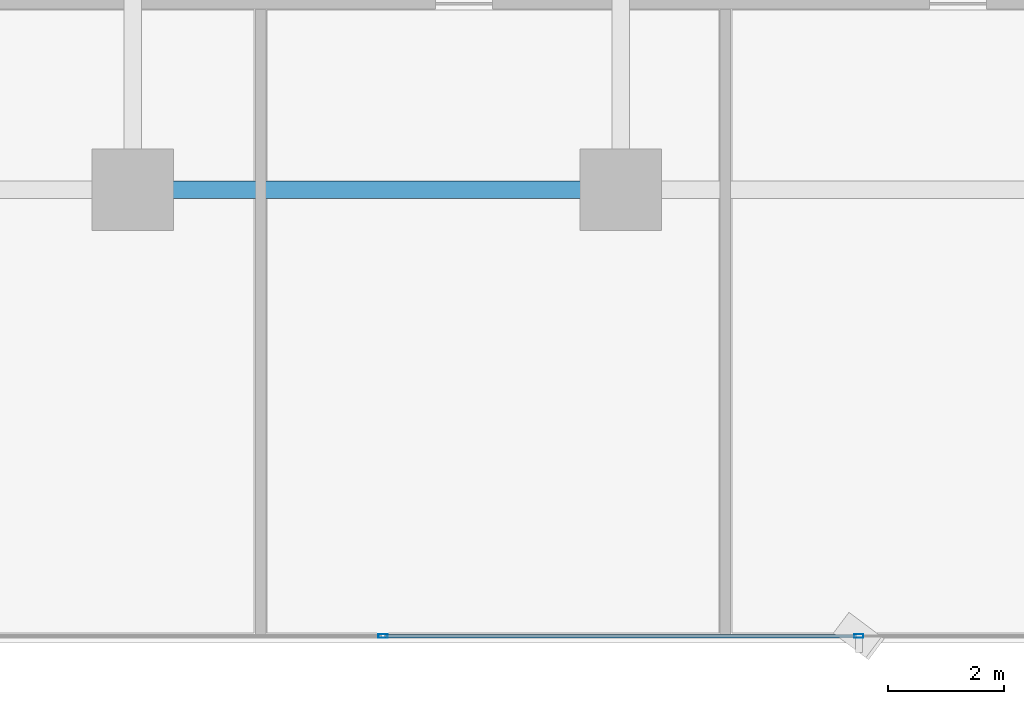
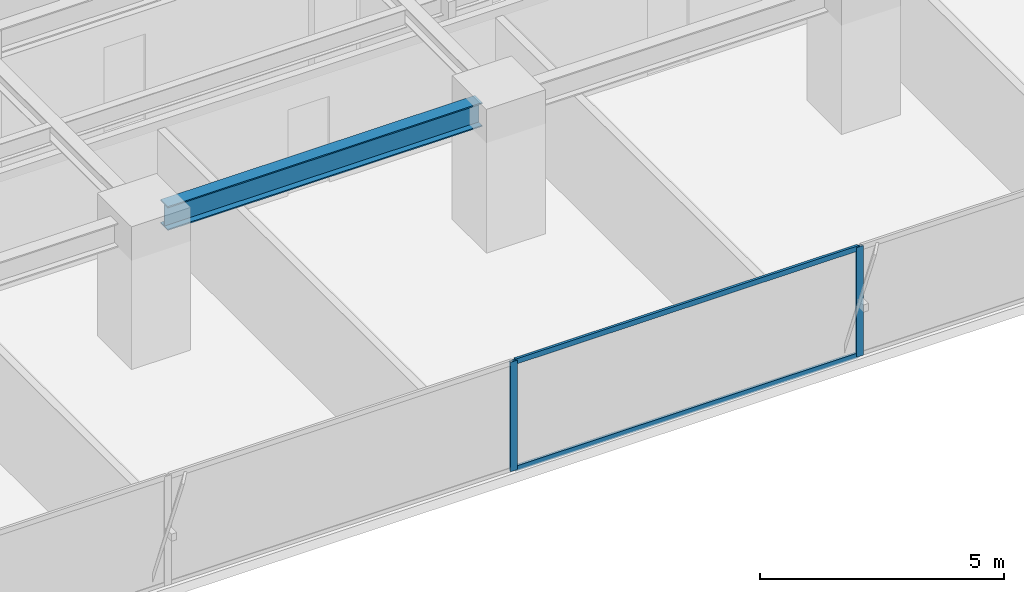
# One storey, part 6 of 36: 4 members, 1 beam, 1 element without a shape of its own.
"""IFC4 building model written with IfcOpenShell, lengths in metres."""

from ifc_helpers import new_model, si_unit, direction, frame, origin, origin_2d, place, context, subcontext, project, spatial, hollow_rectangle, i_section, extrude, source, transform, mapped, material, layer, layer_set, material_profile, profile_set, type_object, element, aggregate, save


model = new_model("IFC4")

# Units and contexts
model_context = context("Model", 3, precision=1e-05, world=origin(), true_north=direction((0.0, 1.0)))
body_context = subcontext(model_context, "Body", "Model", "MODEL_VIEW")
ifc_project = project(units=[si_unit("LENGTHUNIT", "METRE"), si_unit("AREAUNIT", "SQUARE_METRE"), si_unit("VOLUMEUNIT", "CUBIC_METRE"), si_unit("PLANEANGLEUNIT", "RADIAN"), si_unit("MASSUNIT", "GRAM", prefix="KILO")], contexts=[model_context])

# Site, building, storey
site_placement = place(None, origin())
site = spatial("IfcSite", under=ifc_project, at=site_placement, CompositionType="ELEMENT")
building_placement = place(site_placement, origin())
building = spatial("IfcBuilding", under=site, at=building_placement, Name="Sumidabori Civic Tower", CompositionType="ELEMENT")
storey_placement = place(building_placement, frame((0.0, 0.0, 113.60009765625)))
storey = spatial("IfcBuildingStorey", under=building, at=storey_placement, Name="L29", CompositionType="ELEMENT", Elevation=113.60009765625)

# Beam
ifc_material_1 = material(Name="Steel SN490", Category="steel")
ifc_material_profile_1 = material_profile(ifc_material_1, i_section(OverallWidth=0.300048828125, OverallDepth=0.60009765625, WebThickness=0.015380859375, FlangeThickness=0.030029296875, at=origin_2d()), Name="HE 600 B")
ifc_profile_set_1 = profile_set([ifc_material_profile_1], Name="Steel SN490")
beam_type = type_object("IfcBeamType", Name="BM-GIRD-600", PredefinedType="BEAM", material=ifc_profile_set_1)
shared_shape_1 = source(origin(), body_context, "Body", "SweptSolid", [
    extrude(i_section(OverallWidth=0.300048828125, OverallDepth=0.60009765625, WebThickness=0.015380859375, FlangeThickness=0.030029296875, at=origin_2d()), origin(), (0.0, 0.0, 1.0), 7.43994140625),
])
beam_placement = place(storey_placement, frame((-7.919921875, -18.0, 3.059814453125), z_axis=(1.0, 0.0, 0.0), x_axis=(0.0, 1.0, 0.0)))
element("IfcBeam", 1, at=beam_placement, inside=storey, type_object=beam_type, Name="Primary Girder L29 GX-03", PredefinedType="BEAM", context=body_context, shape_type="MappedRepresentation", body=[
    mapped(shared_shape_1, transform((0.0, 0.0, 0.0), x_axis=(1.0, 0.0, 0.0), y_axis=(0.0, 1.0, 0.0), z_axis=(0.0, 0.0, 1.0), scale=1.0)),
])

# Curtain wall, members
ifc_material_2 = material(Name="Anodised Bronze Aluminium AW-6063-T6", Category="aluminium")
ifc_layer = layer(ifc_material_2, 0.179931640625, Name="Anodised Bronze Aluminium AW-6063-T6")
ifc_layer_set = layer_set([ifc_layer], Name="Anodised Bronze Aluminium AW-6063-T6")
curtain_wall_type = type_object("IfcCurtainWallType", Name="CW-SYS-3", PredefinedType="NOTDEFINED", material=ifc_layer_set)
curtain_wall_placement = place(storey_placement, origin())
curtain_wall = element("IfcCurtainWall", 2, at=curtain_wall_placement, inside=storey, type_object=curtain_wall_type, Name="Curtain Wall CW:L29:R01", PredefinedType="NOTDEFINED")
ifc_material_profile_2 = material_profile(ifc_material_2, hollow_rectangle(XDim=0.06494140625, YDim=0.159912109375, WallThickness=0.0048828125, at=origin_2d()), Name="ALU MULLION 160x65")
ifc_profile_set_2 = profile_set([ifc_material_profile_2], Name="Anodised Bronze Aluminium AW-6063-T6")
member_type_1 = type_object("IfcMemberType", Name="CW-MUL-160", PredefinedType="MULLION", material=ifc_profile_set_2)
shared_shape_2 = source(origin(), body_context, "Body", "SweptSolid", [
    extrude(hollow_rectangle(XDim=0.06494140625, YDim=0.159912109375, WallThickness=0.0048828125, at=origin_2d()), origin(), (0.0, 0.0, 1.0), 2.739990234375),
])
member_1_placement = place(storey_placement, frame((-4.093994140625, -25.679931640625, 0.0), z_axis=(0.0, 0.0, 1.0), x_axis=(0.0, 1.0, 0.0)))
member_1 = element("IfcMember", 3, at=member_1_placement, type_object=member_type_1, Name="CW-3 mullion 3", PredefinedType="MULLION", context=body_context, shape_type="MappedRepresentation", body=[
    mapped(shared_shape_2, transform((0.0, 0.0, 0.0), x_axis=(1.0, 0.0, 0.0), y_axis=(0.0, 1.0, 0.0), z_axis=(0.0, 0.0, 1.0), scale=1.0)),
])
member_2_placement = place(storey_placement, frame((4.093994140625, -25.679931640625, 0.0), z_axis=(0.0, 0.0, 1.0), x_axis=(0.0, 1.0, 0.0)))
member_2 = element("IfcMember", 4, at=member_2_placement, type_object=member_type_1, Name="CW-3 mullion 4", PredefinedType="MULLION", context=body_context, shape_type="MappedRepresentation", body=[
    mapped(shared_shape_2, transform((0.0, 0.0, 0.0), x_axis=(1.0, 0.0, 0.0), y_axis=(0.0, 1.0, 0.0), z_axis=(0.0, 0.0, 1.0), scale=1.0)),
])
ifc_material_profile_3 = material_profile(ifc_material_2, hollow_rectangle(XDim=0.06005859375, YDim=0.1298828125, WallThickness=0.0048828125, at=origin_2d()), Name="ALU TRANSOM 130x60")
ifc_profile_set_3 = profile_set([ifc_material_profile_3], Name="Anodised Bronze Aluminium AW-6063-T6")
member_type_2 = type_object("IfcMemberType", Name="CW-TRN-130", PredefinedType="USERDEFINED", material=ifc_profile_set_3)
shared_shape_3 = source(origin(), body_context, "Body", "SweptSolid", [
    extrude(hollow_rectangle(XDim=0.06005859375, YDim=0.1298828125, WallThickness=0.0048828125, at=origin_2d()), origin(), (0.0, 0.0, 1.0), 8.123046875),
])
member_3_placement = place(storey_placement, frame((-4.0615234375, -25.679931640625, 0.02978515625), z_axis=(1.0, 0.0, 0.0), x_axis=(0.0, 1.0, 0.0)))
member_3 = element("IfcMember", 5, at=member_3_placement, type_object=member_type_2, Name="CW-3 transom 3.1", ObjectType="TRANSOM", PredefinedType="USERDEFINED", context=body_context, shape_type="MappedRepresentation", body=[
    mapped(shared_shape_3, transform((0.0, 0.0, 0.0), x_axis=(1.0, 0.0, 0.0), y_axis=(0.0, 1.0, 0.0), z_axis=(0.0, 0.0, 1.0), scale=1.0)),
])
member_4_placement = place(storey_placement, frame((-4.0615234375, -25.679931640625, 2.7099609375), z_axis=(1.0, 0.0, 0.0), x_axis=(0.0, 1.0, 0.0)))
member_4 = element("IfcMember", 6, at=member_4_placement, type_object=member_type_2, Name="CW-3 transom 3.2", ObjectType="TRANSOM", PredefinedType="USERDEFINED", context=body_context, shape_type="MappedRepresentation", body=[
    mapped(shared_shape_3, transform((0.0, 0.0, 0.0), x_axis=(1.0, 0.0, 0.0), y_axis=(0.0, 1.0, 0.0), z_axis=(0.0, 0.0, 1.0), scale=1.0)),
])
aggregate(curtain_wall, [member_1, member_2, member_3, member_4])

save(model, "model.ifc")
